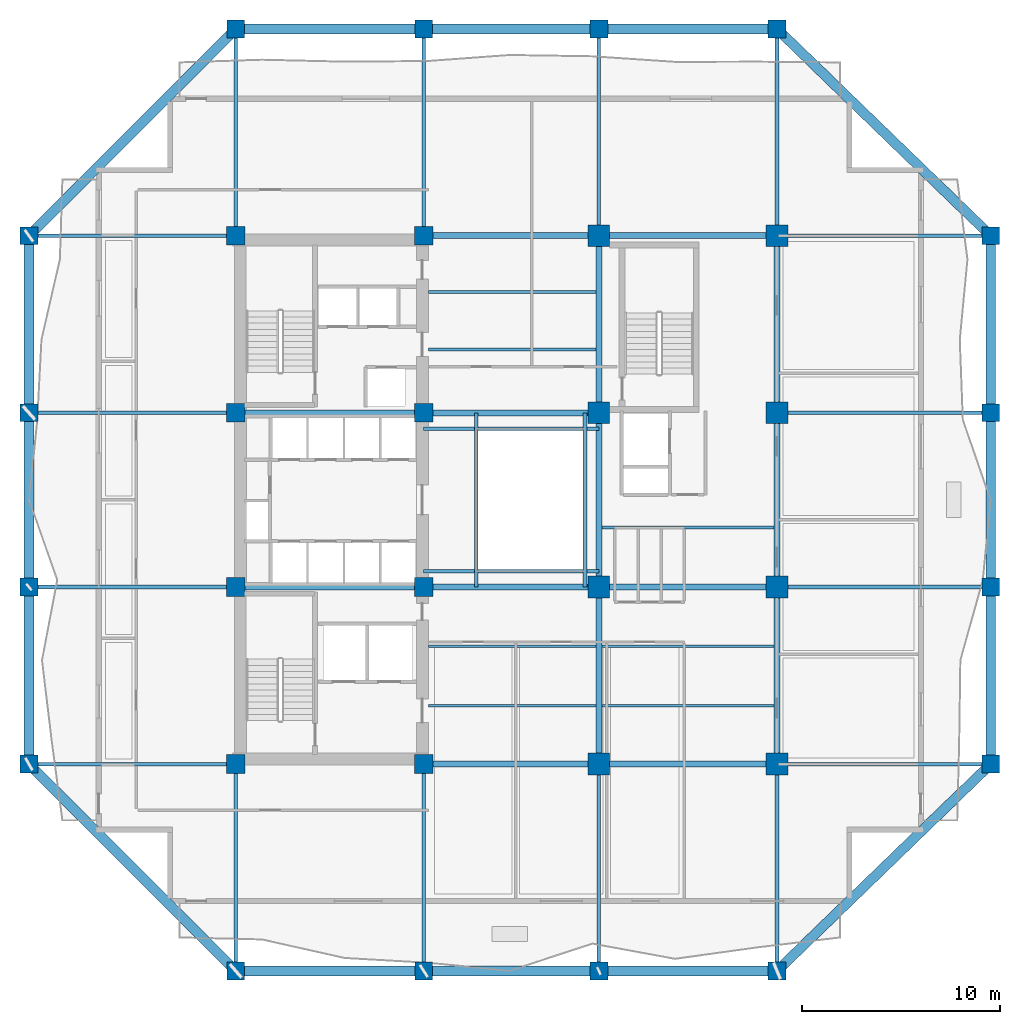
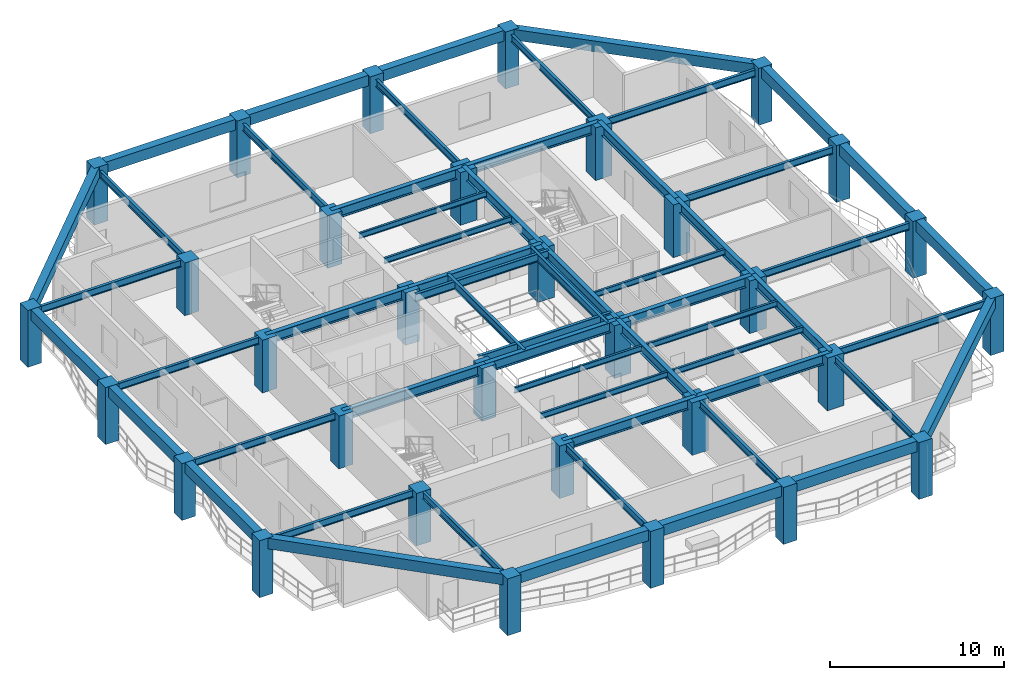
# One storey, part 1 of 11: 58 beams, 32 columns.
"""IFC4 building model written with IfcOpenShell, lengths in metres."""

from ifc_helpers import new_model, si_unit, direction, frame, origin, origin_2d, place, context, subcontext, project, spatial, rectangle, i_section, extrude, material, material_profile, profile_set, type_object, element, save


model = new_model("IFC4")

# Units and contexts
model_context = context("Model", 3, precision=1e-05, world=origin(), true_north=direction((0.0, 1.0)))
body_context = subcontext(model_context, "Body", "Model", "MODEL_VIEW")
ifc_project = project(units=[si_unit("LENGTHUNIT", "METRE"), si_unit("AREAUNIT", "SQUARE_METRE"), si_unit("VOLUMEUNIT", "CUBIC_METRE"), si_unit("PLANEANGLEUNIT", "RADIAN"), si_unit("MASSUNIT", "GRAM", prefix="KILO")], contexts=[model_context])

# Site, building, storey
site_placement = place(None, origin())
site = spatial("IfcSite", under=ifc_project, at=site_placement, CompositionType="ELEMENT")
building_placement = place(site_placement, origin())
building = spatial("IfcBuilding", under=site, at=building_placement, Name="Kundavana Baori Tower", CompositionType="ELEMENT")
storey_placement = place(building_placement, frame((0.0, 0.0, 90.0)))
storey = spatial("IfcBuildingStorey", under=building, at=storey_placement, Name="L21", CompositionType="ELEMENT", Elevation=90.0)

# Columns
ifc_material_1 = material(Name="Concrete C60/75", Category="concrete")
ifc_material_profile_1 = material_profile(ifc_material_1, rectangle(XDim=0.89990234375, YDim=0.89990234375, at=origin_2d()), Name="RC PF 900x900")
ifc_profile_set_1 = profile_set([ifc_material_profile_1], Name="Concrete C60/75")
column_type_1 = type_object("IfcColumnType", Name="COL-PF-900", PredefinedType="COLUMN", material=ifc_profile_set_1)
for number, where, z_axis, x_axis, name in (
    (1, (15.449951171875, 4.800048828125, 0.0), (0.0, 0.0, 1.0), (1.0, 0.0, 0.0), "L21 Stone-Clad Perimeter Frame Column PF-S1"),
    (2, (15.449951171875, 52.39990234375, 0.0), (0.0, 0.0, 1.0), (1.0, 0.0, 0.0), "L21 Stone-Clad Perimeter Frame Column PF-N1"),
    (3, (24.949951171875, 4.800048828125, 0.0), (0.0, 0.0, 1.0), (1.0, 0.0, 0.0), "L21 Stone-Clad Perimeter Frame Column PF-S2"),
    (4, (24.949951171875, 52.39990234375, 0.0), (0.0, 0.0, 1.0), (1.0, 0.0, 0.0), "L21 Stone-Clad Perimeter Frame Column PF-N2"),
    (5, (33.800048828125, 4.800048828125, 0.0), (0.0, 0.0, 1.0), (1.0, 0.0, 0.0), "L21 Stone-Clad Perimeter Frame Column PF-S3"),
    (6, (33.800048828125, 52.39990234375, 0.0), (0.0, 0.0, 1.0), (1.0, 0.0, 0.0), "L21 Stone-Clad Perimeter Frame Column PF-N3"),
    (7, (42.800048828125, 4.800048828125, 0.0), (0.0, 0.0, 1.0), (1.0, 0.0, 0.0), "L21 Stone-Clad Perimeter Frame Column PF-S4"),
    (8, (42.800048828125, 52.39990234375, 0.0), (0.0, 0.0, 1.0), (1.0, 0.0, 0.0), "L21 Stone-Clad Perimeter Frame Column PF-N4"),
    (9, (5.0, 15.25, 0.0), (0.0, 0.0, 1.0), (1.0, 0.0, 0.0), "L21 Stone-Clad Perimeter Frame Column PF-W1"),
    (10, (53.60009765625, 15.25, 0.0), (0.0, 0.0, 1.0), (1.0, 0.0, 0.0), "L21 Stone-Clad Perimeter Frame Column PF-E1"),
    (11, (5.0, 24.199951171875, 0.0), (0.0, 0.0, 1.0), (1.0, 0.0, 0.0), "L21 Stone-Clad Perimeter Frame Column PF-W2"),
    (12, (53.60009765625, 24.199951171875, 0.0), (0.0, 0.0, 1.0), (1.0, 0.0, 0.0), "L21 Stone-Clad Perimeter Frame Column PF-E2"),
    (13, (5.0, 33.0, 0.0), (0.0, 0.0, 1.0), (1.0, 0.0, 0.0), "L21 Stone-Clad Perimeter Frame Column PF-W3"),
    (14, (53.60009765625, 33.0, 0.0), (0.0, 0.0, 1.0), (1.0, 0.0, 0.0), "L21 Stone-Clad Perimeter Frame Column PF-E3"),
    (15, (5.0, 41.949951171875, 0.0), (0.0, 0.0, 1.0), (1.0, 0.0, 0.0), "L21 Stone-Clad Perimeter Frame Column PF-W4"),
    (16, (53.60009765625, 41.949951171875, 0.0), (0.0, 0.0, 1.0), (1.0, 0.0, 0.0), "L21 Stone-Clad Perimeter Frame Column PF-E4"),
):
    element("IfcColumn", number, at=place(storey_placement, frame(where, z_axis=z_axis, x_axis=x_axis)), inside=storey, type_object=column_type_1, Name=name, PredefinedType="COLUMN", context=body_context, shape_type="SweptSolid", body=[
        extrude(rectangle(XDim=0.89990234375, YDim=0.89990234375, at=origin_2d()), origin(), (0.0, 0.0, 1.0), 4.0),
    ])
ifc_material_2 = material(Name="Concrete C60/75", Category="concrete")
ifc_material_profile_2 = material_profile(ifc_material_2, rectangle(XDim=1.10009765625, YDim=1.10009765625, at=origin_2d()), Name="RC 1100x1100")
ifc_profile_set_2 = profile_set([ifc_material_profile_2], Name="Concrete C60/75")
column_type_2 = type_object("IfcColumnType", Name="COL-RC-1100", PredefinedType="COLUMN", material=ifc_profile_set_2)
for number, where, z_axis, x_axis, name in (
    (17, (33.800048828125, 15.25, 0.0), (0.0, 0.0, 1.0), (1.0, 0.0, 0.0), "L21 Interior Column IC-5C"),
    (18, (33.800048828125, 24.199951171875, 0.0), (0.0, 0.0, 1.0), (1.0, 0.0, 0.0), "L21 Interior Column IC-5D"),
    (19, (33.800048828125, 33.0, 0.0), (0.0, 0.0, 1.0), (1.0, 0.0, 0.0), "L21 Interior Column IC-5E"),
    (20, (33.800048828125, 41.949951171875, 0.0), (0.0, 0.0, 1.0), (1.0, 0.0, 0.0), "L21 Interior Column IC-5F"),
    (21, (42.800048828125, 15.25, 0.0), (0.0, 0.0, 1.0), (1.0, 0.0, 0.0), "L21 Interior Column IC-6C"),
    (22, (42.800048828125, 24.199951171875, 0.0), (0.0, 0.0, 1.0), (1.0, 0.0, 0.0), "L21 Interior Column IC-6D"),
    (23, (42.800048828125, 33.0, 0.0), (0.0, 0.0, 1.0), (1.0, 0.0, 0.0), "L21 Interior Column IC-6E"),
    (24, (42.800048828125, 41.949951171875, 0.0), (0.0, 0.0, 1.0), (1.0, 0.0, 0.0), "L21 Interior Column IC-6F"),
):
    element("IfcColumn", number, at=place(storey_placement, frame(where, z_axis=z_axis, x_axis=x_axis)), inside=storey, type_object=column_type_2, Name=name, PredefinedType="COLUMN", context=body_context, shape_type="SweptSolid", body=[
        extrude(rectangle(XDim=1.10009765625, YDim=1.10009765625, at=origin_2d()), origin(), (0.0, 0.0, 1.0), 3.699951171875),
    ])
ifc_material_3 = material(Name="Concrete C50/60", Category="concrete")
ifc_material_profile_3 = material_profile(ifc_material_3, rectangle(XDim=0.949951171875, YDim=0.949951171875, at=origin_2d()), Name="RC 950x950")
ifc_profile_set_3 = profile_set([ifc_material_profile_3], Name="Concrete C50/60")
column_type_3 = type_object("IfcColumnType", Name="COL-RC-950", PredefinedType="COLUMN", material=ifc_profile_set_3)
for number, where, z_axis, x_axis, name in (
    (25, (15.449951171875, 15.25, 0.0), (0.0, 0.0, 1.0), (1.0, 0.0, 0.0), "L21 Interior Column IC-3C"),
    (26, (15.449951171875, 24.199951171875, 0.0), (0.0, 0.0, 1.0), (1.0, 0.0, 0.0), "L21 Interior Column IC-3D"),
    (27, (15.449951171875, 33.0, 0.0), (0.0, 0.0, 1.0), (1.0, 0.0, 0.0), "L21 Interior Column IC-3E"),
    (28, (15.449951171875, 41.949951171875, 0.0), (0.0, 0.0, 1.0), (1.0, 0.0, 0.0), "L21 Interior Column IC-3F"),
    (29, (24.949951171875, 15.25, 0.0), (0.0, 0.0, 1.0), (1.0, 0.0, 0.0), "L21 Interior Column IC-4C"),
    (30, (24.949951171875, 24.199951171875, 0.0), (0.0, 0.0, 1.0), (1.0, 0.0, 0.0), "L21 Interior Column IC-4D"),
    (31, (24.949951171875, 33.0, 0.0), (0.0, 0.0, 1.0), (1.0, 0.0, 0.0), "L21 Interior Column IC-4E"),
    (32, (24.949951171875, 41.949951171875, 0.0), (0.0, 0.0, 1.0), (1.0, 0.0, 0.0), "L21 Interior Column IC-4F"),
):
    element("IfcColumn", number, at=place(storey_placement, frame(where, z_axis=z_axis, x_axis=x_axis)), inside=storey, type_object=column_type_3, Name=name, PredefinedType="COLUMN", context=body_context, shape_type="SweptSolid", body=[
        extrude(rectangle(XDim=0.949951171875, YDim=0.949951171875, at=origin_2d()), origin(), (0.0, 0.0, 1.0), 3.699951171875),
    ])

# Beams
ifc_material_4 = material(Name="Structural Steel S355JR", Category="steel")
ifc_material_profile_4 = material_profile(ifc_material_4, i_section(OverallWidth=0.139892578125, OverallDepth=0.39990234375, WebThickness=0.0087890625, FlangeThickness=0.01611328125, FilletRadius=0.013916015625, at=origin_2d()), Name="ISMB 400")
ifc_profile_set_4 = profile_set([ifc_material_profile_4], Name="Structural Steel S355JR")
beam_type_1 = type_object("IfcBeamType", Name="BM-JST-400", PredefinedType="JOIST", material=ifc_profile_set_4)
for number, where, z_axis, x_axis, name in (
    (33, (25.179931640625, 18.199951171875, 3.5), (1.0, 0.0, 0.0), (0.0, 1.0, 0.0), "L21 Central Bay Composite Floor Joist C1"),
    (34, (25.179931640625, 21.199951171875, 3.5), (1.0, 0.0, 0.0), (0.0, 1.0, 0.0), "L21 Central Bay Composite Floor Joist C2"),
    (35, (25.179931640625, 36.199951171875, 3.5), (1.0, 0.0, 0.0), (0.0, 1.0, 0.0), "L21 Central Bay Composite Floor Joist C3"),
    (36, (25.179931640625, 39.10009765625, 3.5), (1.0, 0.0, 0.0), (0.0, 1.0, 0.0), "L21 Central Bay Composite Floor Joist C4"),
):
    element("IfcBeam", number, at=place(storey_placement, frame(where, z_axis=z_axis, x_axis=x_axis)), inside=storey, type_object=beam_type_1, Name=name, PredefinedType="JOIST", context=body_context, shape_type="SweptSolid", body=[
        extrude(i_section(OverallWidth=0.139892578125, OverallDepth=0.39990234375, WebThickness=0.0087890625, FlangeThickness=0.01611328125, FilletRadius=0.013916015625, at=origin_2d()), origin(), (0.0, 0.0, 1.0), 8.469970703125),
    ])
for number, where, z_axis, x_axis, name in (
    (37, (33.949951171875, 18.199951171875, 3.5), (1.0, 0.0, 0.0), (0.0, 1.0, 0.0), "L21 East Bay Composite Floor Joist E1"),
    (38, (33.949951171875, 21.199951171875, 3.5), (1.0, 0.0, 0.0), (0.0, 1.0, 0.0), "L21 East Bay Composite Floor Joist E2"),
    (39, (33.949951171875, 27.199951171875, 3.5), (1.0, 0.0, 0.0), (0.0, 1.0, 0.0), "L21 East Bay Composite Floor Joist E3"),
):
    element("IfcBeam", number, at=place(storey_placement, frame(where, z_axis=z_axis, x_axis=x_axis)), inside=storey, type_object=beam_type_1, Name=name, PredefinedType="JOIST", context=body_context, shape_type="SweptSolid", body=[
        extrude(i_section(OverallWidth=0.139892578125, OverallDepth=0.39990234375, WebThickness=0.0087890625, FlangeThickness=0.01611328125, FilletRadius=0.013916015625, at=origin_2d()), origin(), (0.0, 0.0, 1.0), 8.699951171875),
    ])
ifc_material_5 = material(Name="Concrete C50/60", Category="concrete")
ifc_material_profile_5 = material_profile(ifc_material_5, rectangle(XDim=0.5, YDim=0.75, at=origin_2d()), Name="RC BM 500x750")
ifc_profile_set_5 = profile_set([ifc_material_profile_5], Name="Concrete C50/60")
beam_type_2 = type_object("IfcBeamType", Name="BM-PF-750", PredefinedType="SPANDREL", material=ifc_profile_set_5)
beam_1_placement = place(storey_placement, frame((15.449951171875, 4.800048828125, 3.625), z_axis=(1.0, 0.0, 0.0), x_axis=(0.0, 1.0, 0.0)))
element("IfcBeam", 40, at=beam_1_placement, inside=storey, type_object=beam_type_2, Name="L21 Perimeter Frame Ring Beam S1", PredefinedType="SPANDREL", context=body_context, shape_type="SweptSolid", body=[
    extrude(rectangle(XDim=0.5, YDim=0.75, at=origin_2d()), origin(), (0.0, 0.0, 1.0), 9.5),
])
beam_2_placement = place(storey_placement, frame((24.949951171875, 4.800048828125, 3.625), z_axis=(1.0, 0.0, 0.0), x_axis=(0.0, 1.0, 0.0)))
element("IfcBeam", 41, at=beam_2_placement, inside=storey, type_object=beam_type_2, Name="L21 Perimeter Frame Ring Beam S2", PredefinedType="SPANDREL", context=body_context, shape_type="SweptSolid", body=[
    extrude(rectangle(XDim=0.5, YDim=0.75, at=origin_2d()), origin(), (0.0, 0.0, 1.0), 8.85009765625),
])
beam_3_placement = place(storey_placement, frame((33.800048828125, 4.800048828125, 3.625), z_axis=(1.0, 0.0, 0.0), x_axis=(0.0, 1.0, 0.0)))
element("IfcBeam", 42, at=beam_3_placement, inside=storey, type_object=beam_type_2, Name="L21 Perimeter Frame Ring Beam S3", PredefinedType="SPANDREL", context=body_context, shape_type="SweptSolid", body=[
    extrude(rectangle(XDim=0.5, YDim=0.75, at=origin_2d()), origin(), (0.0, 0.0, 1.0), 9.0),
])
beam_4_placement = place(storey_placement, frame((15.449951171875, 52.39990234375, 3.625), z_axis=(1.0, 0.0, 0.0), x_axis=(0.0, 1.0, 0.0)))
element("IfcBeam", 43, at=beam_4_placement, inside=storey, type_object=beam_type_2, Name="L21 Perimeter Frame Ring Beam N1", PredefinedType="SPANDREL", context=body_context, shape_type="SweptSolid", body=[
    extrude(rectangle(XDim=0.5, YDim=0.75, at=origin_2d()), origin(), (0.0, 0.0, 1.0), 9.5),
])
beam_5_placement = place(storey_placement, frame((24.949951171875, 52.39990234375, 3.625), z_axis=(1.0, 0.0, 0.0), x_axis=(0.0, 1.0, 0.0)))
element("IfcBeam", 44, at=beam_5_placement, inside=storey, type_object=beam_type_2, Name="L21 Perimeter Frame Ring Beam N2", PredefinedType="SPANDREL", context=body_context, shape_type="SweptSolid", body=[
    extrude(rectangle(XDim=0.5, YDim=0.75, at=origin_2d()), origin(), (0.0, 0.0, 1.0), 8.85009765625),
])
beam_6_placement = place(storey_placement, frame((33.800048828125, 52.39990234375, 3.625), z_axis=(1.0, 0.0, 0.0), x_axis=(0.0, 1.0, 0.0)))
element("IfcBeam", 45, at=beam_6_placement, inside=storey, type_object=beam_type_2, Name="L21 Perimeter Frame Ring Beam N3", PredefinedType="SPANDREL", context=body_context, shape_type="SweptSolid", body=[
    extrude(rectangle(XDim=0.5, YDim=0.75, at=origin_2d()), origin(), (0.0, 0.0, 1.0), 9.0),
])
beam_7_placement = place(storey_placement, frame((5.0, 15.25, 3.625), z_axis=(0.0, 1.0, 0.0), x_axis=(-1.0, 0.0, 0.0)))
element("IfcBeam", 46, at=beam_7_placement, inside=storey, type_object=beam_type_2, Name="L21 Perimeter Frame Ring Beam W1", PredefinedType="SPANDREL", context=body_context, shape_type="SweptSolid", body=[
    extrude(rectangle(XDim=0.5, YDim=0.75, at=origin_2d()), origin(), (0.0, 0.0, 1.0), 8.949951171875),
])
beam_8_placement = place(storey_placement, frame((5.0, 24.199951171875, 3.625), z_axis=(0.0, 1.0, 0.0), x_axis=(-1.0, 0.0, 0.0)))
element("IfcBeam", 47, at=beam_8_placement, inside=storey, type_object=beam_type_2, Name="L21 Perimeter Frame Ring Beam W2", PredefinedType="SPANDREL", context=body_context, shape_type="SweptSolid", body=[
    extrude(rectangle(XDim=0.5, YDim=0.75, at=origin_2d()), origin(), (0.0, 0.0, 1.0), 8.800048828125),
])
for number, where, z_axis, x_axis, name in (
    (48, (5.0, 33.0, 3.625), (0.0, 1.0, 0.0), (-1.0, 0.0, 0.0), "L21 Perimeter Frame Ring Beam W3"),
    (49, (53.60009765625, 15.25, 3.625), (0.0, 1.0, 0.0), (-1.0, 0.0, 0.0), "L21 Perimeter Frame Ring Beam E1"),
):
    element("IfcBeam", number, at=place(storey_placement, frame(where, z_axis=z_axis, x_axis=x_axis)), inside=storey, type_object=beam_type_2, Name=name, PredefinedType="SPANDREL", context=body_context, shape_type="SweptSolid", body=[
        extrude(rectangle(XDim=0.5, YDim=0.75, at=origin_2d()), origin(), (0.0, 0.0, 1.0), 8.949951171875),
    ])
beam_9_placement = place(storey_placement, frame((53.60009765625, 24.199951171875, 3.625), z_axis=(0.0, 1.0, 0.0), x_axis=(-1.0, 0.0, 0.0)))
element("IfcBeam", 50, at=beam_9_placement, inside=storey, type_object=beam_type_2, Name="L21 Perimeter Frame Ring Beam E2", PredefinedType="SPANDREL", context=body_context, shape_type="SweptSolid", body=[
    extrude(rectangle(XDim=0.5, YDim=0.75, at=origin_2d()), origin(), (0.0, 0.0, 1.0), 8.800048828125),
])
beam_10_placement = place(storey_placement, frame((53.60009765625, 33.0, 3.625), z_axis=(0.0, 1.0, 0.0), x_axis=(-1.0, 0.0, 0.0)))
element("IfcBeam", 51, at=beam_10_placement, inside=storey, type_object=beam_type_2, Name="L21 Perimeter Frame Ring Beam E3", PredefinedType="SPANDREL", context=body_context, shape_type="SweptSolid", body=[
    extrude(rectangle(XDim=0.5, YDim=0.75, at=origin_2d()), origin(), (0.0, 0.0, 1.0), 8.949951171875),
])
beam_11_placement = place(storey_placement, frame((15.449951171875, 4.800048828125, 3.625), z_axis=(-0.707106781187, 0.707106781187, 0.0), x_axis=(-0.707106781187, -0.707106781187, 0.0)))
element("IfcBeam", 52, at=beam_11_placement, inside=storey, type_object=beam_type_2, Name="L21 Notched Corner Perimeter Beam SW", PredefinedType="SPANDREL", context=body_context, shape_type="SweptSolid", body=[
    extrude(rectangle(XDim=0.5, YDim=0.75, at=origin_2d()), origin(), (0.0, 0.0, 1.0), 14.778564453125),
])
beam_12_placement = place(storey_placement, frame((42.800048828125, 4.800048828125, 3.625), z_axis=(0.718658968601, 0.695362701653, 0.0), x_axis=(-0.695362701653, 0.718658968601, 0.0)))
element("IfcBeam", 53, at=beam_12_placement, inside=storey, type_object=beam_type_2, Name="L21 Notched Corner Perimeter Beam SE", PredefinedType="SPANDREL", context=body_context, shape_type="SweptSolid", body=[
    extrude(rectangle(XDim=0.5, YDim=0.75, at=origin_2d()), origin(), (0.0, 0.0, 1.0), 15.028076171875),
])
beam_13_placement = place(storey_placement, frame((15.449951171875, 52.39990234375, 3.625), z_axis=(-0.707106781187, -0.707106781187, 0.0), x_axis=(0.707106781187, -0.707106781187, 0.0)))
element("IfcBeam", 54, at=beam_13_placement, inside=storey, type_object=beam_type_2, Name="L21 Notched Corner Perimeter Beam NW", PredefinedType="SPANDREL", context=body_context, shape_type="SweptSolid", body=[
    extrude(rectangle(XDim=0.5, YDim=0.75, at=origin_2d()), origin(), (0.0, 0.0, 1.0), 14.778564453125),
])
beam_14_placement = place(storey_placement, frame((42.800048828125, 52.39990234375, 3.625), z_axis=(0.718658968601, -0.695362701653, 0.0), x_axis=(0.695362701653, 0.718658968601, 0.0)))
element("IfcBeam", 55, at=beam_14_placement, inside=storey, type_object=beam_type_2, Name="L21 Notched Corner Perimeter Beam NE", PredefinedType="SPANDREL", context=body_context, shape_type="SweptSolid", body=[
    extrude(rectangle(XDim=0.5, YDim=0.75, at=origin_2d()), origin(), (0.0, 0.0, 1.0), 15.028076171875),
])
ifc_material_6 = material(Name="Structural Steel S355JR", Category="steel")
ifc_material_profile_6 = material_profile(ifc_material_6, i_section(OverallWidth=0.18994140625, OverallDepth=0.550048828125, WebThickness=0.01123046875, FlangeThickness=0.019287109375, FilletRadius=0.01806640625, at=origin_2d()), Name="ISMB 550")
ifc_profile_set_6 = profile_set([ifc_material_profile_6], Name="Structural Steel S355JR")
beam_type_3 = type_object("IfcBeamType", Name="BM-ST-550", PredefinedType="BEAM", material=ifc_profile_set_6)
for number, where, z_axis, x_axis, name in (
    (56, (27.60009765625, 24.199951171875, 3.425048828125), (0.0, 1.0, 0.0), (-1.0, 0.0, 0.0), "L21 Atrium West Edge Beam"),
    (57, (33.10009765625, 24.199951171875, 3.425048828125), (0.0, 1.0, 0.0), (-1.0, 0.0, 0.0), "L21 Atrium East Edge Beam"),
):
    element("IfcBeam", number, at=place(storey_placement, frame(where, z_axis=z_axis, x_axis=x_axis)), inside=storey, type_object=beam_type_3, Name=name, PredefinedType="BEAM", context=body_context, shape_type="SweptSolid", body=[
        extrude(i_section(OverallWidth=0.18994140625, OverallDepth=0.550048828125, WebThickness=0.01123046875, FlangeThickness=0.019287109375, FilletRadius=0.01806640625, at=origin_2d()), origin(), (0.0, 0.0, 1.0), 8.800048828125),
    ])
for number, where, z_axis, x_axis, name in (
    (58, (24.949951171875, 25.0, 3.425048828125), (1.0, 0.0, 0.0), (0.0, 1.0, 0.0), "L21 Atrium South Edge Beam"),
    (59, (24.949951171875, 32.199951171875, 3.425048828125), (1.0, 0.0, 0.0), (0.0, 1.0, 0.0), "L21 Atrium North Edge Beam"),
):
    element("IfcBeam", number, at=place(storey_placement, frame(where, z_axis=z_axis, x_axis=x_axis)), inside=storey, type_object=beam_type_3, Name=name, PredefinedType="BEAM", context=body_context, shape_type="SweptSolid", body=[
        extrude(i_section(OverallWidth=0.18994140625, OverallDepth=0.550048828125, WebThickness=0.01123046875, FlangeThickness=0.019287109375, FilletRadius=0.01806640625, at=origin_2d()), origin(), (0.0, 0.0, 1.0), 8.85009765625),
    ])
ifc_material_7 = material(Name="Structural Steel S355JR", Category="steel")
ifc_material_profile_7 = material_profile(ifc_material_7, i_section(OverallWidth=0.300048828125, OverallDepth=0.699951171875, WebThickness=0.014404296875, FlangeThickness=0.02392578125, FilletRadius=0.02392578125, at=origin_2d()), Name="NPB 700x300x170")
ifc_profile_set_7 = profile_set([ifc_material_profile_7], Name="Structural Steel S355JR")
beam_type_4 = type_object("IfcBeamType", Name="BM-ST-700", PredefinedType="BEAM", material=ifc_profile_set_7)
beam_15_placement = place(storey_placement, frame((24.949951171875, 15.25, 3.35009765625), z_axis=(1.0, 0.0, 0.0), x_axis=(0.0, 1.0, 0.0)))
element("IfcBeam", 60, at=beam_15_placement, inside=storey, type_object=beam_type_4, Name="L21 Primary Grid Girder GX-1-2", PredefinedType="BEAM", context=body_context, shape_type="SweptSolid", body=[
    extrude(i_section(OverallWidth=0.300048828125, OverallDepth=0.699951171875, WebThickness=0.014404296875, FlangeThickness=0.02392578125, FilletRadius=0.02392578125, at=origin_2d()), origin(), (0.0, 0.0, 1.0), 8.85009765625),
])
beam_16_placement = place(storey_placement, frame((33.800048828125, 15.25, 3.35009765625), z_axis=(1.0, 0.0, 0.0), x_axis=(0.0, 1.0, 0.0)))
element("IfcBeam", 61, at=beam_16_placement, inside=storey, type_object=beam_type_4, Name="L21 Primary Grid Girder GX-1-3", PredefinedType="BEAM", context=body_context, shape_type="SweptSolid", body=[
    extrude(i_section(OverallWidth=0.300048828125, OverallDepth=0.699951171875, WebThickness=0.014404296875, FlangeThickness=0.02392578125, FilletRadius=0.02392578125, at=origin_2d()), origin(), (0.0, 0.0, 1.0), 9.0),
])
beam_17_placement = place(storey_placement, frame((15.449951171875, 24.199951171875, 3.35009765625), z_axis=(1.0, 0.0, 0.0), x_axis=(0.0, 1.0, 0.0)))
element("IfcBeam", 62, at=beam_17_placement, inside=storey, type_object=beam_type_4, Name="L21 Primary Grid Girder GX-2-1", PredefinedType="BEAM", context=body_context, shape_type="SweptSolid", body=[
    extrude(i_section(OverallWidth=0.300048828125, OverallDepth=0.699951171875, WebThickness=0.014404296875, FlangeThickness=0.02392578125, FilletRadius=0.02392578125, at=origin_2d()), origin(), (0.0, 0.0, 1.0), 9.5),
])
beam_18_placement = place(storey_placement, frame((24.949951171875, 24.199951171875, 3.35009765625), z_axis=(1.0, 0.0, 0.0), x_axis=(0.0, 1.0, 0.0)))
element("IfcBeam", 63, at=beam_18_placement, inside=storey, type_object=beam_type_4, Name="L21 Primary Grid Girder GX-2-2", PredefinedType="BEAM", context=body_context, shape_type="SweptSolid", body=[
    extrude(i_section(OverallWidth=0.300048828125, OverallDepth=0.699951171875, WebThickness=0.014404296875, FlangeThickness=0.02392578125, FilletRadius=0.02392578125, at=origin_2d()), origin(), (0.0, 0.0, 1.0), 8.85009765625),
])
beam_19_placement = place(storey_placement, frame((33.800048828125, 24.199951171875, 3.35009765625), z_axis=(1.0, 0.0, 0.0), x_axis=(0.0, 1.0, 0.0)))
element("IfcBeam", 64, at=beam_19_placement, inside=storey, type_object=beam_type_4, Name="L21 Primary Grid Girder GX-2-3", PredefinedType="BEAM", context=body_context, shape_type="SweptSolid", body=[
    extrude(i_section(OverallWidth=0.300048828125, OverallDepth=0.699951171875, WebThickness=0.014404296875, FlangeThickness=0.02392578125, FilletRadius=0.02392578125, at=origin_2d()), origin(), (0.0, 0.0, 1.0), 9.0),
])
beam_20_placement = place(storey_placement, frame((15.449951171875, 33.0, 3.35009765625), z_axis=(1.0, 0.0, 0.0), x_axis=(0.0, 1.0, 0.0)))
element("IfcBeam", 65, at=beam_20_placement, inside=storey, type_object=beam_type_4, Name="L21 Primary Grid Girder GX-3-1", PredefinedType="BEAM", context=body_context, shape_type="SweptSolid", body=[
    extrude(i_section(OverallWidth=0.300048828125, OverallDepth=0.699951171875, WebThickness=0.014404296875, FlangeThickness=0.02392578125, FilletRadius=0.02392578125, at=origin_2d()), origin(), (0.0, 0.0, 1.0), 9.5),
])
for number, where, z_axis, x_axis, name in (
    (66, (24.949951171875, 33.0, 3.35009765625), (1.0, 0.0, 0.0), (0.0, 1.0, 0.0), "L21 Primary Grid Girder GX-3-2"),
    (67, (24.949951171875, 41.949951171875, 3.35009765625), (1.0, 0.0, 0.0), (0.0, 1.0, 0.0), "L21 Primary Grid Girder GX-4-2"),
):
    element("IfcBeam", number, at=place(storey_placement, frame(where, z_axis=z_axis, x_axis=x_axis)), inside=storey, type_object=beam_type_4, Name=name, PredefinedType="BEAM", context=body_context, shape_type="SweptSolid", body=[
        extrude(i_section(OverallWidth=0.300048828125, OverallDepth=0.699951171875, WebThickness=0.014404296875, FlangeThickness=0.02392578125, FilletRadius=0.02392578125, at=origin_2d()), origin(), (0.0, 0.0, 1.0), 8.85009765625),
    ])
beam_21_placement = place(storey_placement, frame((33.800048828125, 41.949951171875, 3.35009765625), z_axis=(1.0, 0.0, 0.0), x_axis=(0.0, 1.0, 0.0)))
element("IfcBeam", 68, at=beam_21_placement, inside=storey, type_object=beam_type_4, Name="L21 Primary Grid Girder GX-4-3", PredefinedType="BEAM", context=body_context, shape_type="SweptSolid", body=[
    extrude(i_section(OverallWidth=0.300048828125, OverallDepth=0.699951171875, WebThickness=0.014404296875, FlangeThickness=0.02392578125, FilletRadius=0.02392578125, at=origin_2d()), origin(), (0.0, 0.0, 1.0), 9.0),
])
beam_22_placement = place(storey_placement, frame((33.800048828125, 15.25, 3.35009765625), z_axis=(0.0, 1.0, 0.0), x_axis=(-1.0, 0.0, 0.0)))
element("IfcBeam", 69, at=beam_22_placement, inside=storey, type_object=beam_type_4, Name="L21 Primary Grid Girder GY-3-1", PredefinedType="BEAM", context=body_context, shape_type="SweptSolid", body=[
    extrude(i_section(OverallWidth=0.300048828125, OverallDepth=0.699951171875, WebThickness=0.014404296875, FlangeThickness=0.02392578125, FilletRadius=0.02392578125, at=origin_2d()), origin(), (0.0, 0.0, 1.0), 8.949951171875),
])
beam_23_placement = place(storey_placement, frame((33.800048828125, 24.199951171875, 3.35009765625), z_axis=(0.0, 1.0, 0.0), x_axis=(-1.0, 0.0, 0.0)))
element("IfcBeam", 70, at=beam_23_placement, inside=storey, type_object=beam_type_4, Name="L21 Primary Grid Girder GY-3-2", PredefinedType="BEAM", context=body_context, shape_type="SweptSolid", body=[
    extrude(i_section(OverallWidth=0.300048828125, OverallDepth=0.699951171875, WebThickness=0.014404296875, FlangeThickness=0.02392578125, FilletRadius=0.02392578125, at=origin_2d()), origin(), (0.0, 0.0, 1.0), 8.800048828125),
])
for number, where, z_axis, x_axis, name in (
    (71, (33.800048828125, 33.0, 3.35009765625), (0.0, 1.0, 0.0), (-1.0, 0.0, 0.0), "L21 Primary Grid Girder GY-3-3"),
    (72, (42.800048828125, 15.25, 3.35009765625), (0.0, 1.0, 0.0), (-1.0, 0.0, 0.0), "L21 Primary Grid Girder GY-4-1"),
):
    element("IfcBeam", number, at=place(storey_placement, frame(where, z_axis=z_axis, x_axis=x_axis)), inside=storey, type_object=beam_type_4, Name=name, PredefinedType="BEAM", context=body_context, shape_type="SweptSolid", body=[
        extrude(i_section(OverallWidth=0.300048828125, OverallDepth=0.699951171875, WebThickness=0.014404296875, FlangeThickness=0.02392578125, FilletRadius=0.02392578125, at=origin_2d()), origin(), (0.0, 0.0, 1.0), 8.949951171875),
    ])
beam_24_placement = place(storey_placement, frame((42.800048828125, 24.199951171875, 3.35009765625), z_axis=(0.0, 1.0, 0.0), x_axis=(-1.0, 0.0, 0.0)))
element("IfcBeam", 73, at=beam_24_placement, inside=storey, type_object=beam_type_4, Name="L21 Primary Grid Girder GY-4-2", PredefinedType="BEAM", context=body_context, shape_type="SweptSolid", body=[
    extrude(i_section(OverallWidth=0.300048828125, OverallDepth=0.699951171875, WebThickness=0.014404296875, FlangeThickness=0.02392578125, FilletRadius=0.02392578125, at=origin_2d()), origin(), (0.0, 0.0, 1.0), 8.800048828125),
])
beam_25_placement = place(storey_placement, frame((42.800048828125, 33.0, 3.35009765625), z_axis=(0.0, 1.0, 0.0), x_axis=(-1.0, 0.0, 0.0)))
element("IfcBeam", 74, at=beam_25_placement, inside=storey, type_object=beam_type_4, Name="L21 Primary Grid Girder GY-4-3", PredefinedType="BEAM", context=body_context, shape_type="SweptSolid", body=[
    extrude(i_section(OverallWidth=0.300048828125, OverallDepth=0.699951171875, WebThickness=0.014404296875, FlangeThickness=0.02392578125, FilletRadius=0.02392578125, at=origin_2d()), origin(), (0.0, 0.0, 1.0), 8.949951171875),
])
ifc_material_8 = material(Name="Structural Steel S355JR", Category="steel")
ifc_material_profile_8 = material_profile(ifc_material_8, i_section(OverallWidth=0.179931640625, OverallDepth=0.5, WebThickness=0.01025390625, FlangeThickness=0.01708984375, FilletRadius=0.01708984375, at=origin_2d()), Name="ISMB 500")
ifc_profile_set_8 = profile_set([ifc_material_profile_8], Name="Structural Steel S355JR")
beam_type_5 = type_object("IfcBeamType", Name="BM-TIE-500", PredefinedType="BEAM", material=ifc_profile_set_8)
for number, where, z_axis, x_axis, name in (
    (75, (15.449951171875, 15.25, 3.449951171875), (0.0, -1.0, 0.0), (1.0, 0.0, 0.0), "L21 South Radial Loggia Tie Beam S1"),
    (76, (15.449951171875, 41.949951171875, 3.449951171875), (0.0, 1.0, 0.0), (-1.0, 0.0, 0.0), "L21 North Radial Loggia Tie Beam N1"),
    (77, (24.949951171875, 15.25, 3.449951171875), (0.0, -1.0, 0.0), (1.0, 0.0, 0.0), "L21 South Radial Loggia Tie Beam S2"),
    (78, (24.949951171875, 41.949951171875, 3.449951171875), (0.0, 1.0, 0.0), (-1.0, 0.0, 0.0), "L21 North Radial Loggia Tie Beam N2"),
    (79, (33.800048828125, 15.25, 3.449951171875), (0.0, -1.0, 0.0), (1.0, 0.0, 0.0), "L21 South Radial Loggia Tie Beam S3"),
    (80, (33.800048828125, 41.949951171875, 3.449951171875), (0.0, 1.0, 0.0), (-1.0, 0.0, 0.0), "L21 North Radial Loggia Tie Beam N3"),
    (81, (42.800048828125, 15.25, 3.449951171875), (0.0, -1.0, 0.0), (1.0, 0.0, 0.0), "L21 South Radial Loggia Tie Beam S4"),
    (82, (42.800048828125, 41.949951171875, 3.449951171875), (0.0, 1.0, 0.0), (-1.0, 0.0, 0.0), "L21 North Radial Loggia Tie Beam N4"),
    (83, (15.449951171875, 15.25, 3.449951171875), (-1.0, 0.0, 0.0), (0.0, -1.0, 0.0), "L21 West Radial Loggia Tie Beam W1"),
):
    element("IfcBeam", number, at=place(storey_placement, frame(where, z_axis=z_axis, x_axis=x_axis)), inside=storey, type_object=beam_type_5, Name=name, PredefinedType="BEAM", context=body_context, shape_type="SweptSolid", body=[
        extrude(i_section(OverallWidth=0.179931640625, OverallDepth=0.5, WebThickness=0.01025390625, FlangeThickness=0.01708984375, FilletRadius=0.01708984375, at=origin_2d()), origin(), (0.0, 0.0, 1.0), 10.449951171875),
    ])
beam_26_placement = place(storey_placement, frame((42.800048828125, 15.25, 3.449951171875), z_axis=(1.0, 0.0, 0.0), x_axis=(0.0, 1.0, 0.0)))
element("IfcBeam", 84, at=beam_26_placement, inside=storey, type_object=beam_type_5, Name="L21 East Radial Loggia Tie Beam E1", PredefinedType="BEAM", context=body_context, shape_type="SweptSolid", body=[
    extrude(i_section(OverallWidth=0.179931640625, OverallDepth=0.5, WebThickness=0.01025390625, FlangeThickness=0.01708984375, FilletRadius=0.01708984375, at=origin_2d()), origin(), (0.0, 0.0, 1.0), 10.800048828125),
])
beam_27_placement = place(storey_placement, frame((15.449951171875, 24.199951171875, 3.449951171875), z_axis=(-1.0, 0.0, 0.0), x_axis=(0.0, -1.0, 0.0)))
element("IfcBeam", 85, at=beam_27_placement, inside=storey, type_object=beam_type_5, Name="L21 West Radial Loggia Tie Beam W2", PredefinedType="BEAM", context=body_context, shape_type="SweptSolid", body=[
    extrude(i_section(OverallWidth=0.179931640625, OverallDepth=0.5, WebThickness=0.01025390625, FlangeThickness=0.01708984375, FilletRadius=0.01708984375, at=origin_2d()), origin(), (0.0, 0.0, 1.0), 10.449951171875),
])
beam_28_placement = place(storey_placement, frame((42.800048828125, 24.199951171875, 3.449951171875), z_axis=(1.0, 0.0, 0.0), x_axis=(0.0, 1.0, 0.0)))
element("IfcBeam", 86, at=beam_28_placement, inside=storey, type_object=beam_type_5, Name="L21 East Radial Loggia Tie Beam E2", PredefinedType="BEAM", context=body_context, shape_type="SweptSolid", body=[
    extrude(i_section(OverallWidth=0.179931640625, OverallDepth=0.5, WebThickness=0.01025390625, FlangeThickness=0.01708984375, FilletRadius=0.01708984375, at=origin_2d()), origin(), (0.0, 0.0, 1.0), 10.800048828125),
])
beam_29_placement = place(storey_placement, frame((15.449951171875, 33.0, 3.449951171875), z_axis=(-1.0, 0.0, 0.0), x_axis=(0.0, -1.0, 0.0)))
element("IfcBeam", 87, at=beam_29_placement, inside=storey, type_object=beam_type_5, Name="L21 West Radial Loggia Tie Beam W3", PredefinedType="BEAM", context=body_context, shape_type="SweptSolid", body=[
    extrude(i_section(OverallWidth=0.179931640625, OverallDepth=0.5, WebThickness=0.01025390625, FlangeThickness=0.01708984375, FilletRadius=0.01708984375, at=origin_2d()), origin(), (0.0, 0.0, 1.0), 10.449951171875),
])
beam_30_placement = place(storey_placement, frame((42.800048828125, 33.0, 3.449951171875), z_axis=(1.0, 0.0, 0.0), x_axis=(0.0, 1.0, 0.0)))
element("IfcBeam", 88, at=beam_30_placement, inside=storey, type_object=beam_type_5, Name="L21 East Radial Loggia Tie Beam E3", PredefinedType="BEAM", context=body_context, shape_type="SweptSolid", body=[
    extrude(i_section(OverallWidth=0.179931640625, OverallDepth=0.5, WebThickness=0.01025390625, FlangeThickness=0.01708984375, FilletRadius=0.01708984375, at=origin_2d()), origin(), (0.0, 0.0, 1.0), 10.800048828125),
])
beam_31_placement = place(storey_placement, frame((15.449951171875, 41.949951171875, 3.449951171875), z_axis=(-1.0, 0.0, 0.0), x_axis=(0.0, -1.0, 0.0)))
element("IfcBeam", 89, at=beam_31_placement, inside=storey, type_object=beam_type_5, Name="L21 West Radial Loggia Tie Beam W4", PredefinedType="BEAM", context=body_context, shape_type="SweptSolid", body=[
    extrude(i_section(OverallWidth=0.179931640625, OverallDepth=0.5, WebThickness=0.01025390625, FlangeThickness=0.01708984375, FilletRadius=0.01708984375, at=origin_2d()), origin(), (0.0, 0.0, 1.0), 10.449951171875),
])
beam_32_placement = place(storey_placement, frame((42.800048828125, 41.949951171875, 3.449951171875), z_axis=(1.0, 0.0, 0.0), x_axis=(0.0, 1.0, 0.0)))
element("IfcBeam", 90, at=beam_32_placement, inside=storey, type_object=beam_type_5, Name="L21 East Radial Loggia Tie Beam E4", PredefinedType="BEAM", context=body_context, shape_type="SweptSolid", body=[
    extrude(i_section(OverallWidth=0.179931640625, OverallDepth=0.5, WebThickness=0.01025390625, FlangeThickness=0.01708984375, FilletRadius=0.01708984375, at=origin_2d()), origin(), (0.0, 0.0, 1.0), 10.800048828125),
])

save(model, "model.ifc")
